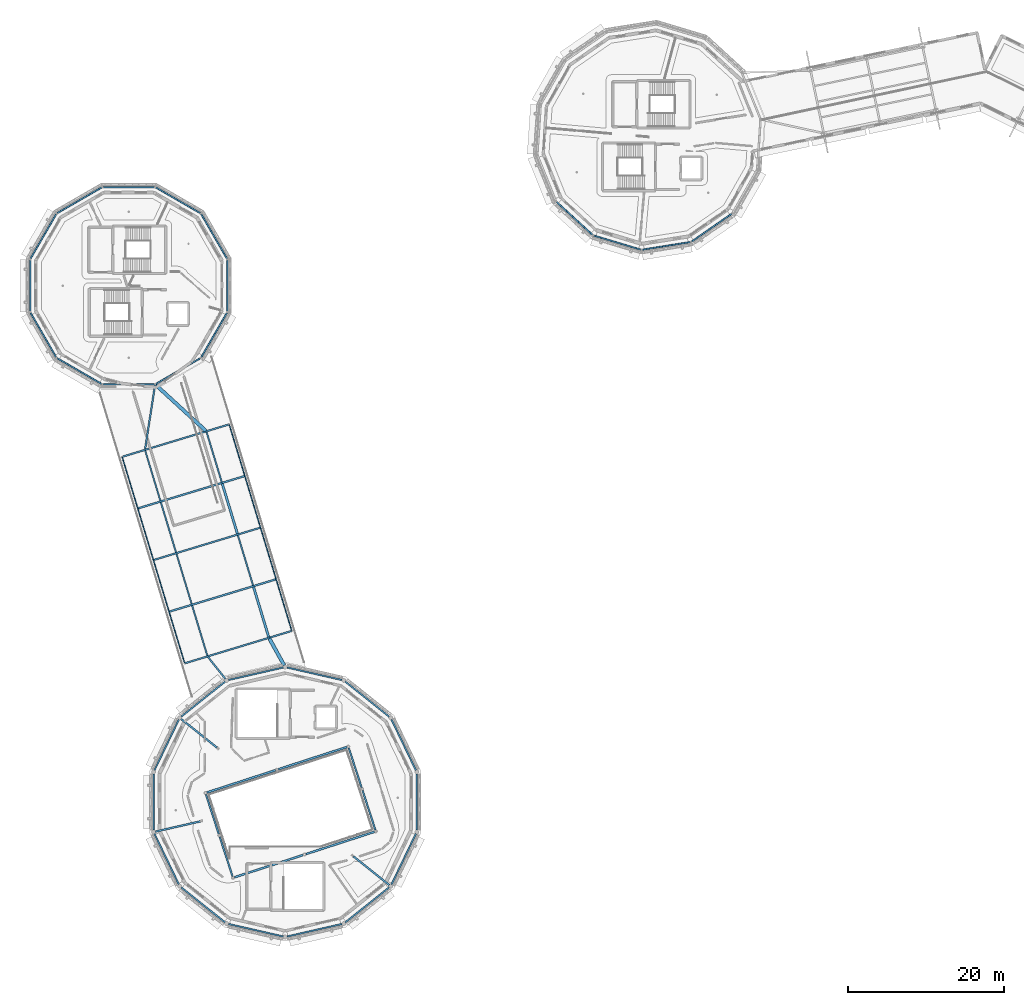
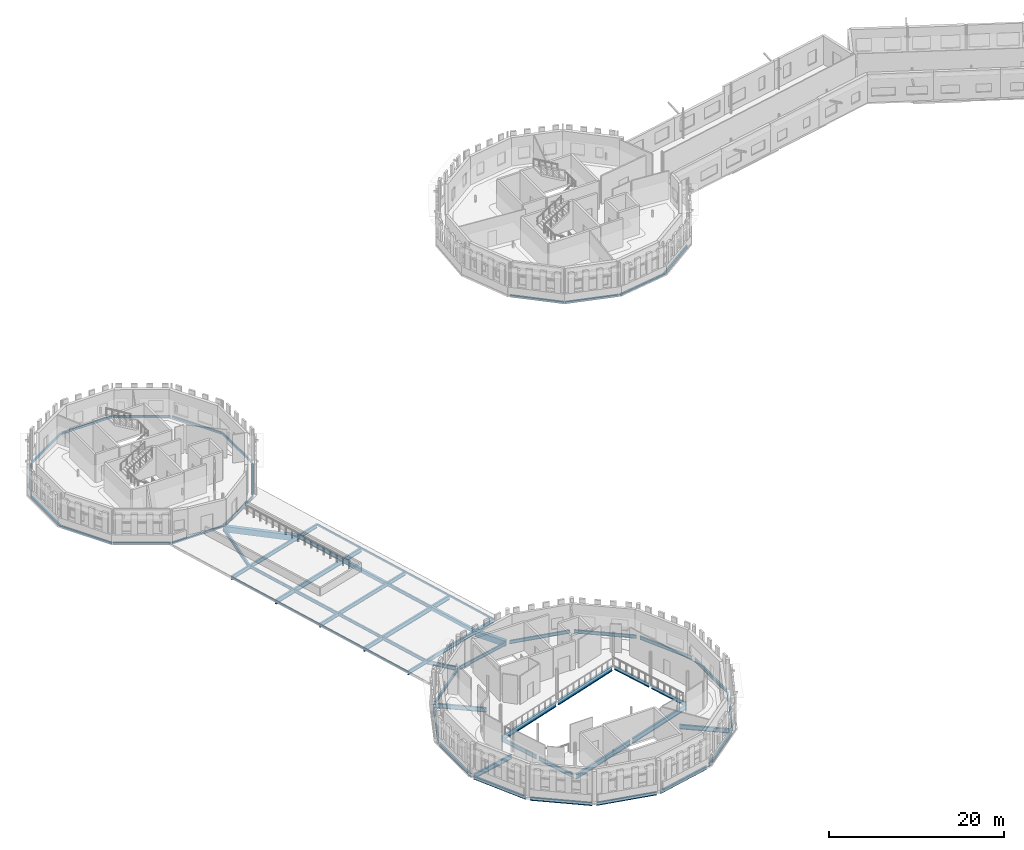
# One storey, part 20 of 68: 66 beams.
"""IFC4 building model written with IfcOpenShell, lengths in metres."""

from ifc_helpers import new_model, si_unit, direction, frame, origin, origin_2d, place, context, subcontext, project, spatial, rectangle, hollow_rectangle, i_section, extrude, material, material_profile, profile_set, type_object, element, save


model = new_model("IFC4")

# Units and contexts
model_context = context("Model", 3, precision=1e-05, world=origin(), true_north=direction((0.0, 1.0)))
body_context = subcontext(model_context, "Body", "Model", "MODEL_VIEW")
ifc_project = project(units=[si_unit("LENGTHUNIT", "METRE"), si_unit("AREAUNIT", "SQUARE_METRE"), si_unit("VOLUMEUNIT", "CUBIC_METRE"), si_unit("PLANEANGLEUNIT", "RADIAN"), si_unit("MASSUNIT", "GRAM", prefix="KILO")], contexts=[model_context])

# Site, building, storey
site_placement = place(None, origin())
site = spatial("IfcSite", under=ifc_project, at=site_placement, CompositionType="ELEMENT")
building_placement = place(site_placement, origin())
building = spatial("IfcBuilding", under=site, at=building_placement, Name="Wrenclough Park School", CompositionType="ELEMENT")
storey_placement = place(building_placement, frame((0.0, 0.0, 12.60009765625)))
storey = spatial("IfcBuildingStorey", under=building, at=storey_placement, Name="L03", CompositionType="ELEMENT", Elevation=12.60009765625)

# Beams
ifc_material_1 = material(Name="Concrete C32/40", Category="concrete")
ifc_material_profile_1 = material_profile(ifc_material_1, rectangle(XDim=0.300048828125, YDim=0.5, at=origin_2d()), Name="RC BEAM 300x500")
ifc_profile_set_1 = profile_set([ifc_material_profile_1], Name="Concrete C32/40")
beam_type_1 = type_object("IfcBeamType", Name="STR-BM-RC300", PredefinedType="BEAM", material=ifc_profile_set_1)
for number, where, z_axis, x_axis, name in (
    (1, (34.3955078125, 44.58251953125, -0.47509765625), (-0.290007395283, 0.957024404433, 0.0), (-0.957024404433, -0.290007395283, 0.0), "W23 L03 longitudinal edge beam R1"),
    (2, (30.3955078125, 57.782470703125, -0.47509765625), (-0.290007395283, 0.957024404433, 0.0), (-0.957024404433, -0.290007395283, 0.0), "W23 L03 longitudinal edge beam R3"),
):
    element("IfcBeam", number, at=place(storey_placement, frame(where, z_axis=z_axis, x_axis=x_axis)), inside=storey, type_object=beam_type_1, Name=name, PredefinedType="BEAM", context=body_context, shape_type="SweptSolid", body=[
        extrude(rectangle(XDim=0.300048828125, YDim=0.5, at=origin_2d()), origin(), (0.0, 0.0, 1.0), 6.701171875),
    ])
ifc_material_2 = material(Name="Concrete C40/50", Category="concrete")
ifc_material_profile_2 = material_profile(ifc_material_2, rectangle(XDim=0.449951171875, YDim=0.800048828125, at=origin_2d()), Name="RC BEAM 450x800")
ifc_profile_set_2 = profile_set([ifc_material_profile_2], Name="Concrete C40/50")
beam_type_2 = type_object("IfcBeamType", Name="STR-BM-RC450", PredefinedType="BEAM", material=ifc_profile_set_2)
beam_1_placement = place(storey_placement, frame((34.47119140625, 44.403564453125, -0.650146484375), z_axis=(0.485469267833, -0.874253733186, 0.0), x_axis=(0.874253733186, 0.485469267833, 0.0)))
element("IfcBeam", 3, at=beam_1_placement, inside=storey, type_object=beam_type_2, Name="W23 L03 drum junction tie beam 14", PredefinedType="BEAM", context=body_context, shape_type="SweptSolid", body=[
    extrude(rectangle(XDim=0.449951171875, YDim=0.800048828125, at=origin_2d()), origin(), (0.0, 0.0, 1.0), 3.939208984375),
])
beam_2_placement = place(storey_placement, frame((26.351806640625, 70.955078125, -0.650146484375), z_axis=(-0.736877697125, 0.676026078994, 0.0), x_axis=(-0.676026078994, -0.736877697125, 0.0)))
element("IfcBeam", 4, at=beam_2_placement, inside=storey, type_object=beam_type_2, Name="W23 L03 drum junction tie beam 20", PredefinedType="BEAM", context=body_context, shape_type="SweptSolid", body=[
    extrude(rectangle(XDim=0.449951171875, YDim=0.800048828125, at=origin_2d()), origin(), (0.0, 0.0, 1.0), 8.690185546875),
])
ifc_material_3 = material(Name="Structural steel S355", Category="steel")
ifc_material_profile_3 = material_profile(ifc_material_3, hollow_rectangle(XDim=0.14990234375, YDim=0.25, WallThickness=0.010009765625, InnerFilletRadius=0.010009765625, OuterFilletRadius=0.014892578125, at=origin_2d()), Name="RHS 250x150x10.0")
ifc_profile_set_3 = profile_set([ifc_material_profile_3], Name="Structural steel S355")
beam_type_3 = type_object("IfcBeamType", Name="STR-BM-RHS250", PredefinedType="SPANDREL", material=ifc_profile_set_3)
beam_3_placement = place(storey_placement, frame((23.6572265625, 41.2265625, -0.35498046875), z_axis=(-0.29001329065, 0.957022617939, 0.0), x_axis=(-0.957022617939, -0.29001329065, 0.0)))
element("IfcBeam", 5, at=beam_3_placement, inside=storey, type_object=beam_type_3, Name="W23 overhanging eave fascia beam L1", PredefinedType="SPANDREL", context=body_context, shape_type="SweptSolid", body=[
    extrude(hollow_rectangle(XDim=0.14990234375, YDim=0.25, WallThickness=0.010009765625, InnerFilletRadius=0.010009765625, OuterFilletRadius=0.014892578125, at=origin_2d()), origin(), (0.0, 0.0, 1.0), 6.896240234375),
])
for number, where, z_axis, x_axis, name in (
    (6, (21.6572265625, 47.826416015625, -0.35498046875), (-0.290003465165, 0.95702559537, 0.0), (-0.95702559537, -0.290003465165, 0.0), "W23 overhanging eave fascia beam L2"),
    (7, (19.6572265625, 54.426513671875, -0.35498046875), (-0.290003465165, 0.95702559537, 0.0), (-0.95702559537, -0.290003465165, 0.0), "W23 overhanging eave fascia beam L3"),
):
    element("IfcBeam", number, at=place(storey_placement, frame(where, z_axis=z_axis, x_axis=x_axis)), inside=storey, type_object=beam_type_3, Name=name, PredefinedType="SPANDREL", context=body_context, shape_type="SweptSolid", body=[
        extrude(hollow_rectangle(XDim=0.14990234375, YDim=0.25, WallThickness=0.010009765625, InnerFilletRadius=0.010009765625, OuterFilletRadius=0.014892578125, at=origin_2d()), origin(), (0.0, 0.0, 1.0), 6.896484375),
    ])
for number, where, z_axis, x_axis, name in (
    (8, (17.6572265625, 61.026611328125, -0.35498046875), (-0.29001329065, 0.957022617939, 0.0), (-0.957022617939, -0.29001329065, 0.0), "W23 overhanging eave fascia beam L4"),
    (9, (37.3427734375, 45.37353515625, -0.35498046875), (-0.29001329065, 0.957022617939, 0.0), (-0.957022617939, -0.29001329065, 0.0), "W23 overhanging eave fascia beam R1"),
):
    element("IfcBeam", number, at=place(storey_placement, frame(where, z_axis=z_axis, x_axis=x_axis)), inside=storey, type_object=beam_type_3, Name=name, PredefinedType="SPANDREL", context=body_context, shape_type="SweptSolid", body=[
        extrude(hollow_rectangle(XDim=0.14990234375, YDim=0.25, WallThickness=0.010009765625, InnerFilletRadius=0.010009765625, OuterFilletRadius=0.014892578125, at=origin_2d()), origin(), (0.0, 0.0, 1.0), 6.896240234375),
    ])
for number, where, z_axis, x_axis, name in (
    (10, (35.3427734375, 51.973388671875, -0.35498046875), (-0.290003465165, 0.95702559537, 0.0), (-0.95702559537, -0.290003465165, 0.0), "W23 overhanging eave fascia beam R2"),
    (11, (33.3427734375, 58.573486328125, -0.35498046875), (-0.290003465165, 0.95702559537, 0.0), (-0.95702559537, -0.290003465165, 0.0), "W23 overhanging eave fascia beam R3"),
):
    element("IfcBeam", number, at=place(storey_placement, frame(where, z_axis=z_axis, x_axis=x_axis)), inside=storey, type_object=beam_type_3, Name=name, PredefinedType="SPANDREL", context=body_context, shape_type="SweptSolid", body=[
        extrude(hollow_rectangle(XDim=0.14990234375, YDim=0.25, WallThickness=0.010009765625, InnerFilletRadius=0.010009765625, OuterFilletRadius=0.014892578125, at=origin_2d()), origin(), (0.0, 0.0, 1.0), 6.896484375),
    ])
beam_4_placement = place(storey_placement, frame((31.3427734375, 65.173583984375, -0.35498046875), z_axis=(-0.29001329065, 0.957022617939, 0.0), x_axis=(-0.957022617939, -0.29001329065, 0.0)))
element("IfcBeam", 12, at=beam_4_placement, inside=storey, type_object=beam_type_3, Name="W23 overhanging eave fascia beam R4", PredefinedType="SPANDREL", context=body_context, shape_type="SweptSolid", body=[
    extrude(hollow_rectangle(XDim=0.14990234375, YDim=0.25, WallThickness=0.010009765625, InnerFilletRadius=0.010009765625, OuterFilletRadius=0.014892578125, at=origin_2d()), origin(), (0.0, 0.0, 1.0), 6.896240234375),
])
ifc_material_profile_4 = material_profile(ifc_material_3, hollow_rectangle(XDim=0.199951171875, YDim=0.300048828125, WallThickness=0.012451171875, InnerFilletRadius=0.012451171875, OuterFilletRadius=0.018798828125, at=origin_2d()), Name="RHS 300x200x12.5")
ifc_profile_set_4 = profile_set([ifc_material_profile_4], Name="Structural steel S355")
beam_type_4 = type_object("IfcBeamType", Name="STR-BM-RHS300", PredefinedType="SPANDREL", material=ifc_profile_set_4)
for number, where, z_axis, x_axis, name in (
    (13, (29.057373046875, 92.960693359375, -0.400146484375), (-0.500019762861, 0.866013993391, 0.0), (-0.866013993391, -0.500019762861, 0.0), "D3 L03 outer ring spandrel beam 1"),
    (14, (25.64453125, 98.775634765625, -0.400146484375), (-0.866013993391, 0.500019762861, 0.0), (-0.500019762861, -0.866013993391, 0.0), "D3 L03 outer ring spandrel beam 2"),
):
    element("IfcBeam", number, at=place(storey_placement, frame(where, z_axis=z_axis, x_axis=x_axis)), inside=storey, type_object=beam_type_4, Name=name, PredefinedType="SPANDREL", context=body_context, shape_type="SweptSolid", body=[
        extrude(hollow_rectangle(XDim=0.199951171875, YDim=0.300048828125, WallThickness=0.012451171875, InnerFilletRadius=0.012451171875, OuterFilletRadius=0.018798828125, at=origin_2d()), origin(), (0.0, 0.0, 1.0), 6.563232421875),
    ])
beam_5_placement = place(storey_placement, frame((19.781494140625, 102.105224609375, -0.400146484375), z_axis=(-1.0, 0.0, 0.0), x_axis=(0.0, -1.0, 0.0)))
element("IfcBeam", 15, at=beam_5_placement, inside=storey, type_object=beam_type_4, Name="D3 L03 outer ring spandrel beam 3", PredefinedType="SPANDREL", context=body_context, shape_type="SweptSolid", body=[
    extrude(hollow_rectangle(XDim=0.199951171875, YDim=0.300048828125, WallThickness=0.012451171875, InnerFilletRadius=0.012451171875, OuterFilletRadius=0.018798828125, at=origin_2d()), origin(), (0.0, 0.0, 1.0), 6.56298828125),
])
for number, where, z_axis, x_axis, name in (
    (16, (13.039306640625, 102.057373046875, -0.400146484375), (-0.866013993391, -0.500019762861, 0.0), (0.500019762861, -0.866013993391, 0.0), "D3 L03 outer ring spandrel beam 4"),
    (17, (7.224365234375, 98.64453125, -0.400146484375), (-0.500019762861, -0.866013993391, 0.0), (0.866013993391, -0.500019762861, 0.0), "D3 L03 outer ring spandrel beam 5"),
):
    element("IfcBeam", number, at=place(storey_placement, frame(where, z_axis=z_axis, x_axis=x_axis)), inside=storey, type_object=beam_type_4, Name=name, PredefinedType="SPANDREL", context=body_context, shape_type="SweptSolid", body=[
        extrude(hollow_rectangle(XDim=0.199951171875, YDim=0.300048828125, WallThickness=0.012451171875, InnerFilletRadius=0.012451171875, OuterFilletRadius=0.018798828125, at=origin_2d()), origin(), (0.0, 0.0, 1.0), 6.563232421875),
    ])
beam_6_placement = place(storey_placement, frame((3.894775390625, 92.781494140625, -0.400146484375), z_axis=(0.0, -1.0, 0.0), x_axis=(1.0, 0.0, 0.0)))
element("IfcBeam", 18, at=beam_6_placement, inside=storey, type_object=beam_type_4, Name="D3 L03 outer ring spandrel beam 6", PredefinedType="SPANDREL", context=body_context, shape_type="SweptSolid", body=[
    extrude(hollow_rectangle(XDim=0.199951171875, YDim=0.300048828125, WallThickness=0.012451171875, InnerFilletRadius=0.012451171875, OuterFilletRadius=0.018798828125, at=origin_2d()), origin(), (0.0, 0.0, 1.0), 6.56298828125),
])
for number, where, z_axis, x_axis, name in (
    (19, (3.942626953125, 86.039306640625, -0.400146484375), (0.500019762861, -0.866013993391, 0.0), (0.866013993391, 0.500019762861, 0.0), "D3 L03 outer ring spandrel beam 7"),
    (20, (7.35546875, 80.224365234375, -0.400146484375), (0.866013993391, -0.500019762861, 0.0), (0.500019762861, 0.866013993391, 0.0), "D3 L03 outer ring spandrel beam 8"),
):
    element("IfcBeam", number, at=place(storey_placement, frame(where, z_axis=z_axis, x_axis=x_axis)), inside=storey, type_object=beam_type_4, Name=name, PredefinedType="SPANDREL", context=body_context, shape_type="SweptSolid", body=[
        extrude(hollow_rectangle(XDim=0.199951171875, YDim=0.300048828125, WallThickness=0.012451171875, InnerFilletRadius=0.012451171875, OuterFilletRadius=0.018798828125, at=origin_2d()), origin(), (0.0, 0.0, 1.0), 6.563232421875),
    ])
beam_7_placement = place(storey_placement, frame((13.218505859375, 76.894775390625, -0.400146484375), z_axis=(1.0, 0.0, 0.0), x_axis=(0.0, 1.0, 0.0)))
element("IfcBeam", 21, at=beam_7_placement, inside=storey, type_object=beam_type_4, Name="D3 L03 outer ring spandrel beam 9", PredefinedType="SPANDREL", context=body_context, shape_type="SweptSolid", body=[
    extrude(hollow_rectangle(XDim=0.199951171875, YDim=0.300048828125, WallThickness=0.012451171875, InnerFilletRadius=0.012451171875, OuterFilletRadius=0.018798828125, at=origin_2d()), origin(), (0.0, 0.0, 1.0), 6.56298828125),
])
for number, where, z_axis, x_axis, name in (
    (22, (19.960693359375, 76.942626953125, -0.400146484375), (0.866013993391, 0.500019762861, 0.0), (-0.500019762861, 0.866013993391, 0.0), "D3 L03 outer ring spandrel beam 10"),
    (23, (25.775634765625, 80.35546875, -0.400146484375), (0.500019762861, 0.866013993391, 0.0), (-0.866013993391, 0.500019762861, 0.0), "D3 L03 outer ring spandrel beam 11"),
):
    element("IfcBeam", number, at=place(storey_placement, frame(where, z_axis=z_axis, x_axis=x_axis)), inside=storey, type_object=beam_type_4, Name=name, PredefinedType="SPANDREL", context=body_context, shape_type="SweptSolid", body=[
        extrude(hollow_rectangle(XDim=0.199951171875, YDim=0.300048828125, WallThickness=0.012451171875, InnerFilletRadius=0.012451171875, OuterFilletRadius=0.018798828125, at=origin_2d()), origin(), (0.0, 0.0, 1.0), 6.563232421875),
    ])
beam_8_placement = place(storey_placement, frame((29.105224609375, 86.218505859375, -0.400146484375), z_axis=(0.0, 1.0, 0.0), x_axis=(-1.0, 0.0, 0.0)))
element("IfcBeam", 24, at=beam_8_placement, inside=storey, type_object=beam_type_4, Name="D3 L03 outer ring spandrel beam 12", PredefinedType="SPANDREL", context=body_context, shape_type="SweptSolid", body=[
    extrude(hollow_rectangle(XDim=0.199951171875, YDim=0.300048828125, WallThickness=0.012451171875, InnerFilletRadius=0.012451171875, OuterFilletRadius=0.018798828125, at=origin_2d()), origin(), (0.0, 0.0, 1.0), 6.56298828125),
])
beam_9_placement = place(storey_placement, frame((71.193115234375, 100.2060546875, -0.39013671875), z_axis=(0.738113443635, -0.674676622038, 0.0), x_axis=(0.674676622038, 0.738113443635, 0.0)))
element("IfcBeam", 25, at=beam_9_placement, inside=storey, type_object=beam_type_4, Name="D4 L03 outer ring spandrel beam 9", PredefinedType="SPANDREL", context=body_context, shape_type="SweptSolid", body=[
    extrude(hollow_rectangle(XDim=0.199951171875, YDim=0.300048828125, WallThickness=0.012451171875, InnerFilletRadius=0.012451171875, OuterFilletRadius=0.018798828125, at=origin_2d()), origin(), (0.0, 0.0, 1.0), 6.238525390625),
])
for number, where, z_axis, x_axis, name in (
    (26, (75.960693359375, 95.904541015625, -0.39013671875), (0.957756249966, -0.287581233136, 0.0), (0.287581233136, 0.957756249966, 0.0), "D4 L03 outer ring spandrel beam 10"),
    (27, (82.122802734375, 94.09765625, -0.39013671875), (0.987686062731, 0.156448846228, 0.0), (-0.156448846228, 0.987686062731, 0.0), "D4 L03 outer ring spandrel beam 11"),
    (28, (88.45849609375, 95.143310546875, -0.39013671875), (0.822001965349, 0.569484652086, 0.0), (-0.569484652086, 0.822001965349, 0.0), "D4 L03 outer ring spandrel beam 12"),
):
    element("IfcBeam", number, at=place(storey_placement, frame(where, z_axis=z_axis, x_axis=x_axis)), inside=storey, type_object=beam_type_4, Name=name, PredefinedType="SPANDREL", context=body_context, shape_type="SweptSolid", body=[
        extrude(hollow_rectangle(XDim=0.199951171875, YDim=0.300048828125, WallThickness=0.012451171875, InnerFilletRadius=0.012451171875, OuterFilletRadius=0.018798828125, at=origin_2d()), origin(), (0.0, 0.0, 1.0), 6.239013671875),
    ])
ifc_material_profile_5 = material_profile(ifc_material_3, i_section(OverallWidth=0.177978515625, OverallDepth=0.406494140625, WebThickness=0.0078125, FlangeThickness=0.0126953125, FilletRadius=0.01025390625, at=origin_2d()), Name="UKB 406x178x60")
ifc_profile_set_5 = profile_set([ifc_material_profile_5], Name="Structural steel S355")
beam_type_5 = type_object("IfcBeamType", Name="STR-BM-UKB406", PredefinedType="BEAM", material=ifc_profile_set_5)
for number, where, z_axis, x_axis, name in (
    (29, (24.5478515625, 48.804443359375, -0.42822265625), (-0.290007395283, 0.957024404433, 0.0), (-0.957024404433, -0.290007395283, 0.0), "W23 L03 longitudinal edge beam L2"),
    (30, (20.5478515625, 62.00439453125, -0.42822265625), (-0.290007395283, 0.957024404433, 0.0), (-0.957024404433, -0.290007395283, 0.0), "W23 L03 longitudinal edge beam L4"),
):
    element("IfcBeam", number, at=place(storey_placement, frame(where, z_axis=z_axis, x_axis=x_axis)), inside=storey, type_object=beam_type_5, Name=name, PredefinedType="BEAM", context=body_context, shape_type="SweptSolid", body=[
        extrude(i_section(OverallWidth=0.177978515625, OverallDepth=0.406494140625, WebThickness=0.0078125, FlangeThickness=0.0126953125, FilletRadius=0.01025390625, at=origin_2d()), origin(), (0.0, 0.0, 1.0), 6.701171875),
    ])
ifc_material_profile_6 = material_profile(ifc_material_3, i_section(OverallWidth=0.18994140625, OverallDepth=0.453369140625, WebThickness=0.008544921875, FlangeThickness=0.0126953125, FilletRadius=0.01025390625, at=origin_2d()), Name="UKB 457x191x67")
ifc_profile_set_6 = profile_set([ifc_material_profile_6], Name="Structural steel S355")
beam_type_6 = type_object("IfcBeamType", Name="STR-BM-UKB457A", PredefinedType="BEAM", material=ifc_profile_set_6)
for number, where, z_axis, x_axis, name in (
    (31, (26.5478515625, 42.20458984375, -0.451904296875), (-0.29001750741, 0.957021340094, 0.0), (-0.957021340094, -0.29001750741, 0.0), "W23 L03 longitudinal edge beam L1"),
    (32, (32.3955078125, 51.1826171875, -0.451904296875), (-0.29001750741, 0.957021340094, 0.0), (-0.957021340094, -0.29001750741, 0.0), "W23 L03 longitudinal edge beam R2"),
    (33, (22.5478515625, 55.404541015625, -0.451904296875), (-0.29001750741, 0.957021340094, 0.0), (-0.957021340094, -0.29001750741, 0.0), "W23 L03 longitudinal edge beam L3"),
    (34, (28.3955078125, 64.382568359375, -0.451904296875), (-0.29001750741, 0.957021340094, 0.0), (-0.957021340094, -0.29001750741, 0.0), "W23 L03 longitudinal edge beam R4"),
):
    element("IfcBeam", number, at=place(storey_placement, frame(where, z_axis=z_axis, x_axis=x_axis)), inside=storey, type_object=beam_type_6, Name=name, PredefinedType="BEAM", context=body_context, shape_type="SweptSolid", body=[
        extrude(i_section(OverallWidth=0.18994140625, OverallDepth=0.453369140625, WebThickness=0.008544921875, FlangeThickness=0.0126953125, FilletRadius=0.01025390625, at=origin_2d()), origin(), (0.0, 0.0, 1.0), 6.700927734375),
    ])
ifc_material_profile_7 = material_profile(ifc_material_3, i_section(OverallWidth=0.19140625, OverallDepth=0.4599609375, WebThickness=0.010009765625, FlangeThickness=0.01611328125, FilletRadius=0.01025390625, at=origin_2d()), Name="UKB 457x191x82")
ifc_profile_set_7 = profile_set([ifc_material_profile_7], Name="Structural steel S355")
beam_type_7 = type_object("IfcBeamType", Name="STR-BM-UKB457B", PredefinedType="SPANDREL", material=ifc_profile_set_7)
for number, where, z_axis, x_axis, name in (
    (35, (53.21337890625, 27.5546875, -0.47998046875), (-0.433866614901, 0.90097711429, 0.0), (-0.90097711429, -0.433866614901, 0.0), "D2 L03 outer ring spandrel beam 1"),
    (36, (49.799072265625, 34.40478515625, -0.47998046875), (-0.781834238424, 0.623486345984, 0.0), (-0.623486345984, -0.781834238424, 0.0), "D2 L03 outer ring spandrel beam 2"),
    (37, (43.75048828125, 39.09521484375, -0.47998046875), (-0.974933191805, 0.22249780115, 0.0), (-0.22249780115, -0.974933191805, 0.0), "D2 L03 outer ring spandrel beam 3"),
    (38, (36.26611328125, 40.696533203125, -0.47998046875), (-0.974933191805, -0.22249780115, 0.0), (0.22249780115, -0.974933191805, 0.0), "D2 L03 outer ring spandrel beam 4"),
    (39, (28.827880859375, 38.89208984375, -0.47998046875), (-0.781834238424, -0.623486345984, 0.0), (0.623486345984, -0.781834238424, 0.0), "D2 L03 outer ring spandrel beam 5"),
    (40, (22.9091796875, 34.0390625, -0.47998046875), (-0.433866614901, -0.90097711429, 0.0), (0.90097711429, -0.433866614901, 0.0), "D2 L03 outer ring spandrel beam 6"),
):
    element("IfcBeam", number, at=place(storey_placement, frame(where, z_axis=z_axis, x_axis=x_axis)), inside=storey, type_object=beam_type_7, Name=name, PredefinedType="SPANDREL", context=body_context, shape_type="SweptSolid", body=[
        extrude(i_section(OverallWidth=0.19140625, OverallDepth=0.4599609375, WebThickness=0.010009765625, FlangeThickness=0.01611328125, FilletRadius=0.01025390625, at=origin_2d()), origin(), (0.0, 0.0, 1.0), 7.197021484375),
    ])
beam_10_placement = place(storey_placement, frame((19.6826171875, 27.098388671875, -0.47998046875), z_axis=(0.0, -1.0, 0.0), x_axis=(1.0, 0.0, 0.0)))
element("IfcBeam", 41, at=beam_10_placement, inside=storey, type_object=beam_type_7, Name="D2 L03 outer ring spandrel beam 7", PredefinedType="SPANDREL", context=body_context, shape_type="SweptSolid", body=[
    extrude(i_section(OverallWidth=0.19140625, OverallDepth=0.4599609375, WebThickness=0.010009765625, FlangeThickness=0.01611328125, FilletRadius=0.01025390625, at=origin_2d()), origin(), (0.0, 0.0, 1.0), 7.19677734375),
])
for number, where, z_axis, x_axis, name in (
    (42, (19.78662109375, 19.4453125, -0.47998046875), (0.433866614901, -0.90097711429, 0.0), (0.90097711429, 0.433866614901, 0.0), "D2 L03 outer ring spandrel beam 8"),
    (43, (23.200927734375, 12.59521484375, -0.47998046875), (0.781834238424, -0.623486345984, 0.0), (0.623486345984, 0.781834238424, 0.0), "D2 L03 outer ring spandrel beam 9"),
    (44, (29.24951171875, 7.90478515625, -0.47998046875), (0.974933191805, -0.22249780115, 0.0), (0.22249780115, 0.974933191805, 0.0), "D2 L03 outer ring spandrel beam 10"),
    (45, (36.73388671875, 6.303466796875, -0.47998046875), (0.974933191805, 0.22249780115, 0.0), (-0.22249780115, 0.974933191805, 0.0), "D2 L03 outer ring spandrel beam 11"),
    (46, (44.172119140625, 8.10791015625, -0.47998046875), (0.781834238424, 0.623486345984, 0.0), (-0.623486345984, 0.781834238424, 0.0), "D2 L03 outer ring spandrel beam 12"),
    (47, (50.0908203125, 12.9609375, -0.47998046875), (0.433866614901, 0.90097711429, 0.0), (-0.90097711429, 0.433866614901, 0.0), "D2 L03 outer ring spandrel beam 13"),
):
    element("IfcBeam", number, at=place(storey_placement, frame(where, z_axis=z_axis, x_axis=x_axis)), inside=storey, type_object=beam_type_7, Name=name, PredefinedType="SPANDREL", context=body_context, shape_type="SweptSolid", body=[
        extrude(i_section(OverallWidth=0.19140625, OverallDepth=0.4599609375, WebThickness=0.010009765625, FlangeThickness=0.01611328125, FilletRadius=0.01025390625, at=origin_2d()), origin(), (0.0, 0.0, 1.0), 7.197021484375),
    ])
beam_11_placement = place(storey_placement, frame((53.3173828125, 19.901611328125, -0.47998046875), z_axis=(0.0, 1.0, 0.0), x_axis=(-1.0, 0.0, 0.0)))
element("IfcBeam", 48, at=beam_11_placement, inside=storey, type_object=beam_type_7, Name="D2 L03 outer ring spandrel beam 14", PredefinedType="SPANDREL", context=body_context, shape_type="SweptSolid", body=[
    extrude(i_section(OverallWidth=0.19140625, OverallDepth=0.4599609375, WebThickness=0.010009765625, FlangeThickness=0.01611328125, FilletRadius=0.01025390625, at=origin_2d()), origin(), (0.0, 0.0, 1.0), 7.19677734375),
])
ifc_material_profile_8 = material_profile(ifc_material_3, i_section(OverallWidth=0.209228515625, OverallDepth=0.533203125, WebThickness=0.010009765625, FlangeThickness=0.015625, FilletRadius=0.0126953125, at=origin_2d()), Name="UKB 533x210x92")
ifc_profile_set_8 = profile_set([ifc_material_profile_8], Name="Structural steel S355")
beam_type_8 = type_object("IfcBeamType", Name="STR-BM-UKB533A", PredefinedType="BEAM", material=ifc_profile_set_8)
beam_12_placement = place(storey_placement, frame((29.77099609375, 13.997802734375, -0.5166015625), z_axis=(-0.309018494995, 0.951056028713, 0.0), x_axis=(-0.951056028713, -0.309018494995, 0.0)))
element("IfcBeam", 49, at=beam_12_placement, inside=storey, type_object=beam_type_8, Name="D2 L03 hall frame girder 0.1", PredefinedType="BEAM", context=body_context, shape_type="SweptSolid", body=[
    extrude(i_section(OverallWidth=0.209228515625, OverallDepth=0.533203125, WebThickness=0.010009765625, FlangeThickness=0.015625, FilletRadius=0.0126953125, at=origin_2d()), origin(), (0.0, 0.0, 1.0), 5.31005859375),
])
beam_13_placement = place(storey_placement, frame((28.009521484375, 19.4189453125, -0.5166015625), z_axis=(-0.308976906612, 0.951069540665, 0.0), x_axis=(-0.951069540665, -0.308976906612, 0.0)))
element("IfcBeam", 50, at=beam_13_placement, inside=storey, type_object=beam_type_8, Name="D2 L03 hall frame girder 1.2", PredefinedType="BEAM", context=body_context, shape_type="SweptSolid", body=[
    extrude(i_section(OverallWidth=0.209228515625, OverallDepth=0.533203125, WebThickness=0.010009765625, FlangeThickness=0.015625, FilletRadius=0.0126953125, at=origin_2d()), origin(), (0.0, 0.0, 1.0), 5.309814453125),
])
for number, where, z_axis, x_axis, name in (
    (51, (48.03125, 19.930908203125, -0.5166015625), (-0.309004982886, 0.951060418981, 0.0), (-0.951060418981, -0.309004982886, 0.0), "D2 L03 hall frame girder 5.6"),
    (52, (46.269775390625, 25.35205078125, -0.5166015625), (-0.309018494995, 0.951056028713, 0.0), (-0.951056028713, -0.309018494995, 0.0), "D2 L03 hall frame girder 6.7"),
):
    element("IfcBeam", number, at=place(storey_placement, frame(where, z_axis=z_axis, x_axis=x_axis)), inside=storey, type_object=beam_type_8, Name=name, PredefinedType="BEAM", context=body_context, shape_type="SweptSolid", body=[
        extrude(i_section(OverallWidth=0.209228515625, OverallDepth=0.533203125, WebThickness=0.010009765625, FlangeThickness=0.015625, FilletRadius=0.0126953125, at=origin_2d()), origin(), (0.0, 0.0, 1.0), 5.31005859375),
    ])
for number, where, z_axis, x_axis, name in (
    (53, (37.3427734375, 45.37353515625, -0.49658203125), (-0.95702756333, -0.289996970721, 0.0), (0.289996970721, -0.95702756333, 0.0), "W23 continuous overhanging eave roof girder 1.1"),
    (54, (33.3427734375, 58.573486328125, -0.49658203125), (-0.95702756333, -0.289996970721, 0.0), (0.289996970721, -0.95702756333, 0.0), "W23 continuous overhanging eave roof girder 1.3"),
    (55, (29.3427734375, 71.7734375, -0.49658203125), (-0.95702756333, -0.289996970721, 0.0), (0.289996970721, -0.95702756333, 0.0), "W23 continuous overhanging eave roof girder 1.5"),
):
    element("IfcBeam", number, at=place(storey_placement, frame(where, z_axis=z_axis, x_axis=x_axis)), inside=storey, type_object=beam_type_8, Name=name, PredefinedType="BEAM", context=body_context, shape_type="SweptSolid", body=[
        extrude(i_section(OverallWidth=0.209228515625, OverallDepth=0.533203125, WebThickness=0.010009765625, FlangeThickness=0.015625, FilletRadius=0.0126953125, at=origin_2d()), origin(), (0.0, 0.0, 1.0), 14.300048828125),
    ])
beam_14_placement = place(storey_placement, frame((26.636962890625, 42.034423828125, -0.5166015625), z_axis=(0.622190589105, -0.782865806399, 0.0), x_axis=(0.782865806399, 0.622190589105, 0.0)))
element("IfcBeam", 56, at=beam_14_placement, inside=storey, type_object=beam_type_8, Name="W23 L03 drum junction tie beam 11", PredefinedType="BEAM", context=body_context, shape_type="SweptSolid", body=[
    extrude(i_section(OverallWidth=0.209228515625, OverallDepth=0.533203125, WebThickness=0.010009765625, FlangeThickness=0.015625, FilletRadius=0.0126953125, at=origin_2d()), origin(), (0.0, 0.0, 1.0), 3.5830078125),
])
beam_15_placement = place(storey_placement, frame((18.59130859375, 68.607666015625, -0.5166015625), z_axis=(0.153371540416, 0.988168594214, 0.0), x_axis=(-0.988168594214, 0.153371540416, 0.0)))
element("IfcBeam", 57, at=beam_15_placement, inside=storey, type_object=beam_type_8, Name="W23 L03 drum junction tie beam 17", PredefinedType="BEAM", context=body_context, shape_type="SweptSolid", body=[
    extrude(i_section(OverallWidth=0.209228515625, OverallDepth=0.533203125, WebThickness=0.010009765625, FlangeThickness=0.015625, FilletRadius=0.0126953125, at=origin_2d()), origin(), (0.0, 0.0, 1.0), 8.290283203125),
])
ifc_material_profile_9 = material_profile(ifc_material_3, i_section(OverallWidth=0.22900390625, OverallDepth=0.6123046875, WebThickness=0.011962890625, FlangeThickness=0.01953125, FilletRadius=0.0126953125, at=origin_2d()), Name="UKB 610x229x125")
ifc_profile_set_9 = profile_set([ifc_material_profile_9], Name="Structural steel S355")
beam_type_9 = type_object("IfcBeamType", Name="STR-BM-UKB610", PredefinedType="BEAM", material=ifc_profile_set_9)
beam_16_placement = place(storey_placement, frame((23.200927734375, 34.105712890625, -0.55615234375), z_axis=(0.781831608442, -0.623489643893, 0.0), x_axis=(0.623489643893, 0.781831608442, 0.0)))
element("IfcBeam", 58, at=beam_16_placement, inside=storey, type_object=beam_type_9, Name="D2 L03 radial girder 6", PredefinedType="BEAM", context=body_context, shape_type="SweptSolid", body=[
    extrude(i_section(OverallWidth=0.22900390625, OverallDepth=0.6123046875, WebThickness=0.011962890625, FlangeThickness=0.01953125, FilletRadius=0.0126953125, at=origin_2d()), origin(), (0.0, 0.0, 1.0), 5.882080078125),
])
beam_17_placement = place(storey_placement, frame((19.91650390625, 19.715087890625, -0.55615234375), z_axis=(0.97493676066, 0.222482162685, 0.0), x_axis=(-0.222482162685, 0.97493676066, 0.0)))
element("IfcBeam", 59, at=beam_17_placement, inside=storey, type_object=beam_type_9, Name="D2 L03 radial girder 8", PredefinedType="BEAM", context=body_context, shape_type="SweptSolid", body=[
    extrude(i_section(OverallWidth=0.22900390625, OverallDepth=0.6123046875, WebThickness=0.011962890625, FlangeThickness=0.01953125, FilletRadius=0.0126953125, at=origin_2d()), origin(), (0.0, 0.0, 1.0), 5.8818359375),
])
beam_18_placement = place(storey_placement, frame((49.799072265625, 12.894287109375, -0.55615234375), z_axis=(-0.781831608442, 0.623489643893, 0.0), x_axis=(-0.623489643893, -0.781831608442, 0.0)))
element("IfcBeam", 60, at=beam_18_placement, inside=storey, type_object=beam_type_9, Name="D2 L03 radial girder 13", PredefinedType="BEAM", context=body_context, shape_type="SweptSolid", body=[
    extrude(i_section(OverallWidth=0.22900390625, OverallDepth=0.6123046875, WebThickness=0.011962890625, FlangeThickness=0.01953125, FilletRadius=0.0126953125, at=origin_2d()), origin(), (0.0, 0.0, 1.0), 5.882080078125),
])
for number, where, z_axis, x_axis, name in (
    (61, (35.3427734375, 51.973388671875, -0.5361328125), (-0.95702756333, -0.289996970721, 0.0), (0.289996970721, -0.95702756333, 0.0), "W23 continuous overhanging eave roof girder 1.2"),
    (62, (31.3427734375, 65.173583984375, -0.5361328125), (-0.95702756333, -0.289996970721, 0.0), (0.289996970721, -0.95702756333, 0.0), "W23 continuous overhanging eave roof girder 1.4"),
):
    element("IfcBeam", number, at=place(storey_placement, frame(where, z_axis=z_axis, x_axis=x_axis)), inside=storey, type_object=beam_type_9, Name=name, PredefinedType="BEAM", context=body_context, shape_type="SweptSolid", body=[
        extrude(i_section(OverallWidth=0.22900390625, OverallDepth=0.6123046875, WebThickness=0.011962890625, FlangeThickness=0.01953125, FilletRadius=0.0126953125, at=origin_2d()), origin(), (0.0, 0.0, 1.0), 14.300048828125),
    ])
ifc_material_profile_10 = material_profile(ifc_material_3, i_section(OverallWidth=0.253662109375, OverallDepth=0.68359375, WebThickness=0.012451171875, FlangeThickness=0.01904296875, FilletRadius=0.01513671875, at=origin_2d()), Name="UKB 686x254x140")
ifc_profile_set_10 = profile_set([ifc_material_profile_10], Name="Structural steel S355")
beam_type_10 = type_object("IfcBeamType", Name="STR-BM-UKB686", PredefinedType="BEAM", material=ifc_profile_set_10)
beam_19_placement = place(storey_placement, frame((30.016845703125, 13.872802734375, -0.591796875), z_axis=(0.951057637703, 0.309013543014, 0.0), x_axis=(-0.309013543014, 0.951057637703, 0.0)))
element("IfcBeam", 63, at=beam_19_placement, inside=storey, type_object=beam_type_10, Name="D2 L03 hall frame girder 0.3", PredefinedType="BEAM", context=body_context, shape_type="SweptSolid", body=[
    extrude(i_section(OverallWidth=0.253662109375, OverallDepth=0.68359375, WebThickness=0.012451171875, FlangeThickness=0.01904296875, FilletRadius=0.01513671875, at=origin_2d()), origin(), (0.0, 0.0, 1.0), 9.209716796875),
])
beam_20_placement = place(storey_placement, frame((26.493896484375, 24.71484375, -0.591796875), z_axis=(0.95106016892, 0.309005752525, 0.0), x_axis=(-0.309005752525, 0.95106016892, 0.0)))
element("IfcBeam", 64, at=beam_20_placement, inside=storey, type_object=beam_type_10, Name="D2 L03 hall frame girder 2.4", PredefinedType="BEAM", context=body_context, shape_type="SweptSolid", body=[
    extrude(i_section(OverallWidth=0.253662109375, OverallDepth=0.68359375, WebThickness=0.012451171875, FlangeThickness=0.01904296875, FilletRadius=0.01513671875, at=origin_2d()), origin(), (0.0, 0.0, 1.0), 9.2099609375),
])
beam_21_placement = place(storey_placement, frame((39.14697265625, 16.83935546875, -0.591796875), z_axis=(0.951057637703, 0.309013543014, 0.0), x_axis=(-0.309013543014, 0.951057637703, 0.0)))
element("IfcBeam", 65, at=beam_21_placement, inside=storey, type_object=beam_type_10, Name="D2 L03 hall frame girder 3.5", PredefinedType="BEAM", context=body_context, shape_type="SweptSolid", body=[
    extrude(i_section(OverallWidth=0.253662109375, OverallDepth=0.68359375, WebThickness=0.012451171875, FlangeThickness=0.01904296875, FilletRadius=0.01513671875, at=origin_2d()), origin(), (0.0, 0.0, 1.0), 9.209716796875),
])
beam_22_placement = place(storey_placement, frame((35.6240234375, 27.681396484375, -0.591796875), z_axis=(0.95106016892, 0.309005752525, 0.0), x_axis=(-0.309005752525, 0.95106016892, 0.0)))
element("IfcBeam", 66, at=beam_22_placement, inside=storey, type_object=beam_type_10, Name="D2 L03 hall frame girder 4.7", PredefinedType="BEAM", context=body_context, shape_type="SweptSolid", body=[
    extrude(i_section(OverallWidth=0.253662109375, OverallDepth=0.68359375, WebThickness=0.012451171875, FlangeThickness=0.01904296875, FilletRadius=0.01513671875, at=origin_2d()), origin(), (0.0, 0.0, 1.0), 9.2099609375),
])

save(model, "model.ifc")
